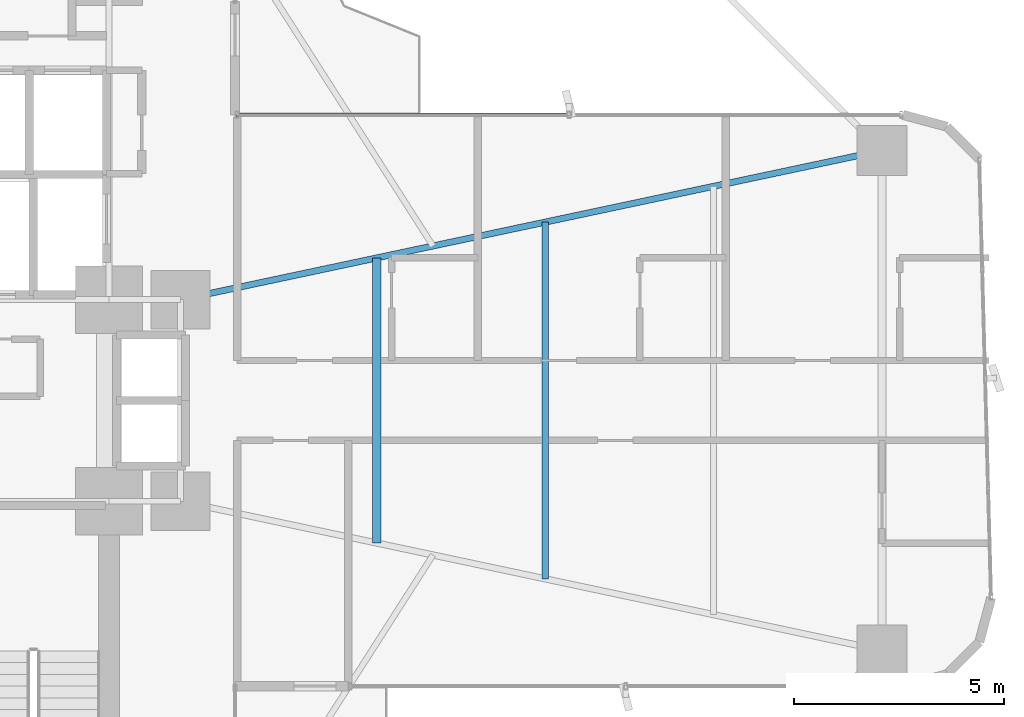
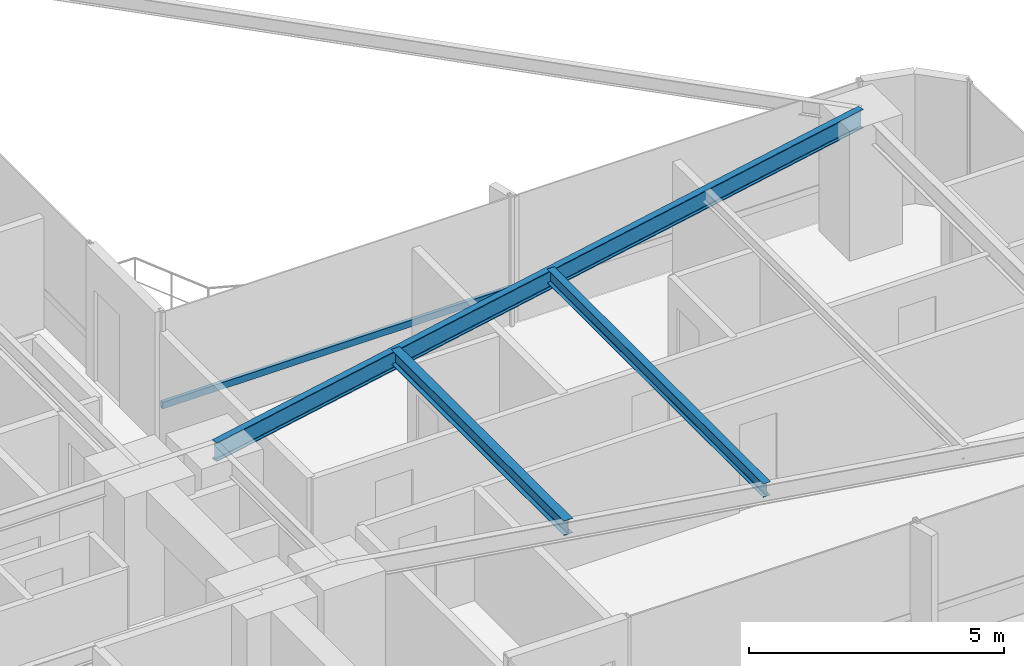
# One storey, part 15 of 26: 3 beams, 1 member, 1 element without a shape of its own.
"""IFC4 building model written with IfcOpenShell, lengths in metres."""

from ifc_helpers import new_model, si_unit, direction, frame, origin, origin_2d, place, context, subcontext, project, spatial, hollow_rectangle, i_section, extrude, source, transform, mapped, material, material_profile, profile_set, type_object, element, aggregate, save


model = new_model("IFC4")

# Units and contexts
model_context = context("Model", 3, precision=1e-05, world=origin(), true_north=direction((0.0, 1.0)))
body_context = subcontext(model_context, "Body", "Model", "MODEL_VIEW")
ifc_project = project(units=[si_unit("LENGTHUNIT", "METRE"), si_unit("AREAUNIT", "SQUARE_METRE"), si_unit("VOLUMEUNIT", "CUBIC_METRE"), si_unit("PLANEANGLEUNIT", "RADIAN"), si_unit("MASSUNIT", "GRAM", prefix="KILO")], contexts=[model_context])

# Site, building, storey
site_placement = place(None, origin())
site = spatial("IfcSite", under=ifc_project, at=site_placement, CompositionType="ELEMENT")
building_placement = place(site_placement, origin())
building = spatial("IfcBuilding", under=site, at=building_placement, Name="Sahyath Konkavel Grand Hotel", CompositionType="ELEMENT")
storey_placement = place(building_placement, frame((0.0, 0.0, 51.050048828125)))
storey = spatial("IfcBuildingStorey", under=building, at=storey_placement, Name="L13", CompositionType="ELEMENT", Elevation=51.050048828125)

# Beams
ifc_material_1 = material(Name="Steel E350", Category="steel")
ifc_material_profile_1 = material_profile(ifc_material_1, i_section(OverallWidth=0.14990234375, OverallDepth=0.449951171875, WebThickness=0.009521484375, FlangeThickness=0.017333984375, FilletRadius=0.014892578125, at=origin_2d()), Name="ISMB 450")
ifc_profile_set_1 = profile_set([ifc_material_profile_1], Name="Steel E350")
beam_type_1 = type_object("IfcBeamType", Name="BM-ISMB450", PredefinedType="BEAM", material=ifc_profile_set_1)
shared_shape_1 = source(origin(), body_context, "Body", "SweptSolid", [
    extrude(i_section(OverallWidth=0.14990234375, OverallDepth=0.449951171875, WebThickness=0.009521484375, FlangeThickness=0.017333984375, FilletRadius=0.014892578125, at=origin_2d()), origin(), (0.0, 0.0, 1.0), 17.072998046875),
])
beam_1_placement = place(storey_placement, frame((5.5, 2.39990234375, 2.885009765625), z_axis=(0.978143257225, 0.20793212437, 0.0), x_axis=(-0.20793212437, 0.978143257225, 0.0)))
element("IfcBeam", 1, at=beam_1_placement, inside=storey, type_object=beam_type_1, Name="L13 Cruciform Radial Girder EB", PredefinedType="BEAM", context=body_context, shape_type="MappedRepresentation", body=[
    mapped(shared_shape_1, transform((0.0, 0.0, 0.0), scale=1.0)),
])
ifc_material_profile_2 = material_profile(ifc_material_1, i_section(OverallWidth=0.199951171875, OverallDepth=0.35009765625, WebThickness=0.008056640625, FlangeThickness=0.011474609375, FilletRadius=0.013916015625, at=origin_2d()), Name="ISWB 350")
ifc_profile_set_2 = profile_set([ifc_material_profile_2], Name="Steel E350")
beam_type_2 = type_object("IfcBeamType", Name="BM-ISWB350", PredefinedType="BEAM", material=ifc_profile_set_2)
shared_shape_2 = source(origin(), body_context, "Body", "SweptSolid", [
    extrude(i_section(OverallWidth=0.199951171875, OverallDepth=0.35009765625, WebThickness=0.008056640625, FlangeThickness=0.011474609375, FilletRadius=0.013916015625, at=origin_2d()), origin(), (0.0, 0.0, 1.0), 6.7880859375),
])
beam_2_placement = place(storey_placement, frame((10.176025390625, -3.39404296875, 2.93505859375), z_axis=(0.0, 1.0, 0.0), x_axis=(-1.0, 0.0, 0.0)))
element("IfcBeam", 2, at=beam_2_placement, inside=storey, type_object=beam_type_2, Name="L13 Secondary Floor Beam E-1", PredefinedType="BEAM", context=body_context, shape_type="MappedRepresentation", body=[
    mapped(shared_shape_2, transform((0.0, 0.0, 0.0), scale=1.0)),
])
ifc_material_profile_3 = material_profile(ifc_material_1, i_section(OverallWidth=0.1650390625, OverallDepth=0.324951171875, WebThickness=0.007080078125, FlangeThickness=0.009765625, FilletRadius=0.014892578125, at=origin_2d()), Name="ISLB 325")
ifc_profile_set_3 = profile_set([ifc_material_profile_3], Name="Steel E350")
beam_type_3 = type_object("IfcBeamType", Name="BM-ISLB325", PredefinedType="BEAM", material=ifc_profile_set_3)
shared_shape_3 = source(origin(), body_context, "Body", "SweptSolid", [
    extrude(i_section(OverallWidth=0.1650390625, OverallDepth=0.324951171875, WebThickness=0.007080078125, FlangeThickness=0.009765625, FilletRadius=0.014892578125, at=origin_2d()), origin(), (0.0, 0.0, 1.0), 8.4921875),
])
beam_3_placement = place(storey_placement, frame((14.18408203125, -4.24609375, 2.947509765625), z_axis=(0.0, 1.0, 0.0), x_axis=(-1.0, 0.0, 0.0)))
element("IfcBeam", 3, at=beam_3_placement, inside=storey, type_object=beam_type_3, Name="L13 Secondary Floor Beam E-2", PredefinedType="BEAM", context=body_context, shape_type="MappedRepresentation", body=[
    mapped(shared_shape_3, transform((0.0, 0.0, 0.0), scale=1.0)),
])

# Curtain wall, member
ifc_material_2 = material(Name="Anodised Bronze Aluminium & Low-E Glazing", Category="aluminium")
curtain_wall_type = type_object("IfcCurtainWallType", Name="CW-ZONE1", PredefinedType="NOTDEFINED", material=ifc_material_2)
curtain_wall_placement = place(storey_placement, origin())
curtain_wall = element("IfcCurtainWall", 4, at=curtain_wall_placement, inside=storey, type_object=curtain_wall_type, Name="L13 Unitised Curtain Wall F7", PredefinedType="NOTDEFINED")
ifc_material_3 = material(Name="Anodised Bronze Aluminium", Category="aluminium")
ifc_material_profile_4 = material_profile(ifc_material_3, hollow_rectangle(XDim=0.080078125, YDim=0.159912109375, WallThickness=0.006103515625, at=origin_2d()), Name="RHS 160x80x6")
ifc_profile_set_4 = profile_set([ifc_material_profile_4], Name="Anodised Bronze Aluminium")
member_type = type_object("IfcMemberType", Name="CW-TRN-160", PredefinedType="USERDEFINED", material=ifc_profile_set_4)
shared_shape_4 = source(origin(), body_context, "Body", "SweptSolid", [
    extrude(hollow_rectangle(XDim=0.080078125, YDim=0.159912109375, WallThickness=0.006103515625, at=origin_2d()), origin(), (0.0, 0.0, 1.0), 7.909912109375),
])
member_placement = place(storey_placement, frame((14.75, 6.800048828125, 0.849853515625), z_axis=(-1.0, 0.0, 0.0), x_axis=(0.0, -1.0, 0.0)))
member = element("IfcMember", 5, at=member_placement, type_object=member_type, Name="L13 Curtain Wall Transom F7-1-spandrel", ObjectType="TRANSOM", PredefinedType="USERDEFINED", context=body_context, shape_type="MappedRepresentation", body=[
    mapped(shared_shape_4, transform((0.0, 0.0, 0.0), scale=1.0)),
])
aggregate(curtain_wall, [member])

save(model, "model.ifc")
